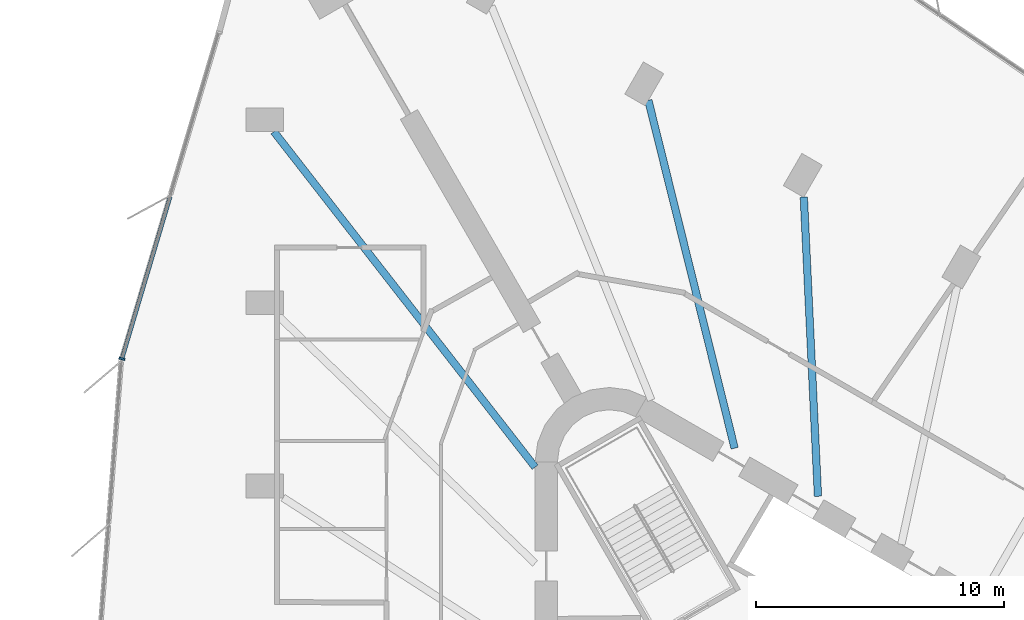
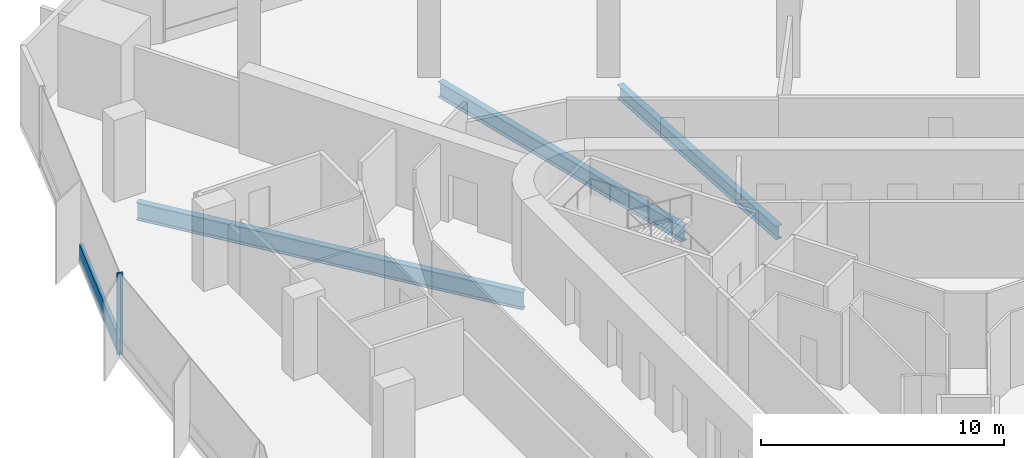
# One storey, part 4 of 15: 3 beams, 2 members, 1 element without a shape of its own.
"""IFC4 building model written with IfcOpenShell, lengths in metres."""

from ifc_helpers import new_model, si_unit, direction, frame, origin, origin_2d, place, context, subcontext, project, spatial, rectangle, i_section, extrude, material, material_profile, profile_set, type_object, element, aggregate, save


model = new_model("IFC4")

# Units and contexts
model_context = context("Model", 3, precision=1e-05, world=origin(), true_north=direction((0.0, 1.0)))
body_context = subcontext(model_context, "Body", "Model", "MODEL_VIEW")
ifc_project = project(units=[si_unit("LENGTHUNIT", "METRE"), si_unit("AREAUNIT", "SQUARE_METRE"), si_unit("VOLUMEUNIT", "CUBIC_METRE"), si_unit("PLANEANGLEUNIT", "RADIAN"), si_unit("MASSUNIT", "GRAM", prefix="KILO")], contexts=[model_context])

# Site, building, storey
site_placement = place(None, origin())
site = spatial("IfcSite", under=ifc_project, at=site_placement, CompositionType="ELEMENT")
building_placement = place(site_placement, origin())
building = spatial("IfcBuilding", under=site, at=building_placement, Name="Tanit Gate Tower", CompositionType="ELEMENT")
storey_placement = place(building_placement, frame((0.0, 0.0, 98.800048828125)))
storey = spatial("IfcBuildingStorey", under=building, at=storey_placement, Name="L20", CompositionType="ELEMENT", Elevation=98.800048828125)

# Curtain wall, member
ifc_material_1 = material(Name="Aluminium bronze anodised and glass", Category="aluminium")
curtain_wall_type = type_object("IfcCurtainWallType", Name="Curtain wall typical low", PredefinedType="NOTDEFINED", material=ifc_material_1)
curtain_wall_placement = place(storey_placement, origin())
curtain_wall = element("IfcCurtainWall", 1, at=curtain_wall_placement, inside=storey, type_object=curtain_wall_type, Name="Curtain wall L20 W1", PredefinedType="NOTDEFINED")
ifc_material_2 = material(Name="Aluminium bronze anodised", Category="aluminium")
ifc_material_profile_1 = material_profile(ifc_material_2, rectangle(XDim=0.239990234375, YDim=0.080078125, at=origin_2d()), Name="80x240 bronze mullion")
ifc_profile_set_1 = profile_set([ifc_material_profile_1], Name="Aluminium bronze anodised")
member_type_1 = type_object("IfcMemberType", Name="Mullion 80x240 typical low", PredefinedType="MULLION", material=ifc_profile_set_1)
member_1_placement = place(storey_placement, frame((-28.783935546875, 19.92041015625, -0.300048828125), z_axis=(0.0, 0.0, 1.0), x_axis=(0.958516563213, -0.285036836298, 0.0)))
member_1 = element("IfcMember", 2, at=member_1_placement, type_object=member_type_1, Name="Mullion L20 W1.3", PredefinedType="MULLION", context=body_context, shape_type="SweptSolid", body=[
    extrude(rectangle(XDim=0.239990234375, YDim=0.080078125, at=origin_2d()), origin(), (0.0, 0.0, 1.0), 4.10009765625),
])

# Beams
ifc_material_3 = material(Name="Steel S355", Category="steel")
ifc_material_profile_2 = material_profile(ifc_material_3, i_section(OverallWidth=0.300048828125, OverallDepth=0.68994140625, WebThickness=0.014404296875, FlangeThickness=0.027099609375, FilletRadius=0.027099609375, at=origin_2d()), Name="HEA 700")
ifc_profile_set_2 = profile_set([ifc_material_profile_2], Name="Steel S355")
beam_type_1 = type_object("IfcBeamType", Name="RADIAL GIRDER HEA 700 S355", PredefinedType="BEAM", material=ifc_profile_set_2)
beam_1_placement = place(storey_placement, frame((-1.251708984375, 26.447509765625, -0.64501953125), z_axis=(0.047276464158, -0.998881842831, 0.0), x_axis=(0.998881842831, 0.047276464158, 0.0)))
element("IfcBeam", 3, at=beam_1_placement, inside=storey, type_object=beam_type_1, Name="RADIAL GIRDER", PredefinedType="BEAM", context=body_context, shape_type="SweptSolid", body=[
    extrude(i_section(OverallWidth=0.300048828125, OverallDepth=0.68994140625, WebThickness=0.014404296875, FlangeThickness=0.027099609375, FilletRadius=0.027099609375, at=origin_2d()), origin(), (0.0, 0.0, 1.0), 12.09423828125),
])
ifc_material_4 = material(Name="Steel S355", Category="steel")
ifc_material_profile_3 = material_profile(ifc_material_4, i_section(OverallWidth=0.300048828125, OverallDepth=0.7900390625, WebThickness=0.014892578125, FlangeThickness=0.028076171875, FilletRadius=0.030029296875, at=origin_2d()), Name="HEA 800")
ifc_profile_set_3 = profile_set([ifc_material_profile_3], Name="Steel S355")
beam_type_2 = type_object("IfcBeamType", Name="RADIAL GIRDER HEA 800 S355", PredefinedType="BEAM", material=ifc_profile_set_3)
beam_2_placement = place(storey_placement, frame((-7.52978515625, 30.356689453125, -0.695068359375), z_axis=(0.240757007067, -0.970585423107, 0.0), x_axis=(0.970585423107, 0.240757007067, 0.0)))
element("IfcBeam", 4, at=beam_2_placement, inside=storey, type_object=beam_type_2, Name="RADIAL GIRDER", PredefinedType="BEAM", context=body_context, shape_type="SweptSolid", body=[
    extrude(i_section(OverallWidth=0.300048828125, OverallDepth=0.7900390625, WebThickness=0.014892578125, FlangeThickness=0.028076171875, FilletRadius=0.030029296875, at=origin_2d()), origin(), (0.0, 0.0, 1.0), 14.47265625),
])
ifc_material_5 = material(Name="Steel S355", Category="steel")
ifc_material_profile_4 = material_profile(ifc_material_5, i_section(OverallWidth=0.300048828125, OverallDepth=0.889892578125, WebThickness=0.01611328125, FlangeThickness=0.030029296875, FilletRadius=0.030029296875, at=origin_2d()), Name="HEA 900")
ifc_profile_set_4 = profile_set([ifc_material_profile_4], Name="Steel S355")
beam_type_3 = type_object("IfcBeamType", Name="RADIAL GIRDER HEA 900 S355", PredefinedType="BEAM", material=ifc_profile_set_4)
beam_3_placement = place(storey_placement, frame((-22.648193359375, 29.0908203125, -0.7451171875), z_axis=(0.614312702857, -0.789062673752, 0.0), x_axis=(0.789062673752, 0.614312702857, 0.0)))
element("IfcBeam", 5, at=beam_3_placement, inside=storey, type_object=beam_type_3, Name="RADIAL GIRDER", PredefinedType="BEAM", context=body_context, shape_type="SweptSolid", body=[
    extrude(i_section(OverallWidth=0.300048828125, OverallDepth=0.889892578125, WebThickness=0.01611328125, FlangeThickness=0.030029296875, FilletRadius=0.030029296875, at=origin_2d()), origin(), (0.0, 0.0, 1.0), 17.16748046875),
])

# Member
ifc_material_6 = material(Name="Aluminium bronze anodised", Category="aluminium")
ifc_material_profile_5 = material_profile(ifc_material_6, rectangle(XDim=0.159912109375, YDim=0.89990234375, at=origin_2d()), Name="160x900 bronze transom")
ifc_profile_set_5 = profile_set([ifc_material_profile_5], Name="Aluminium bronze anodised")
member_type_2 = type_object("IfcMemberType", Name="Transom 160x900 typical low", PredefinedType="USERDEFINED", material=ifc_profile_set_5)
member_2_placement = place(storey_placement, frame((-26.835205078125, 26.47314453125, 0.14990234375), z_axis=(-0.285043413726, -0.95851460724, 0.0), x_axis=(0.95851460724, -0.285043413726, 0.0)))
member_2 = element("IfcMember", 6, at=member_2_placement, type_object=member_type_2, Name="Transom L20 W1.2", ObjectType="TRANSOM", PredefinedType="USERDEFINED", context=body_context, shape_type="SweptSolid", body=[
    extrude(rectangle(XDim=0.159912109375, YDim=0.89990234375, at=origin_2d()), origin(), (0.0, 0.0, 1.0), 6.79638671875),
])

aggregate(curtain_wall, [member_1, member_2])

save(model, "model.ifc")
